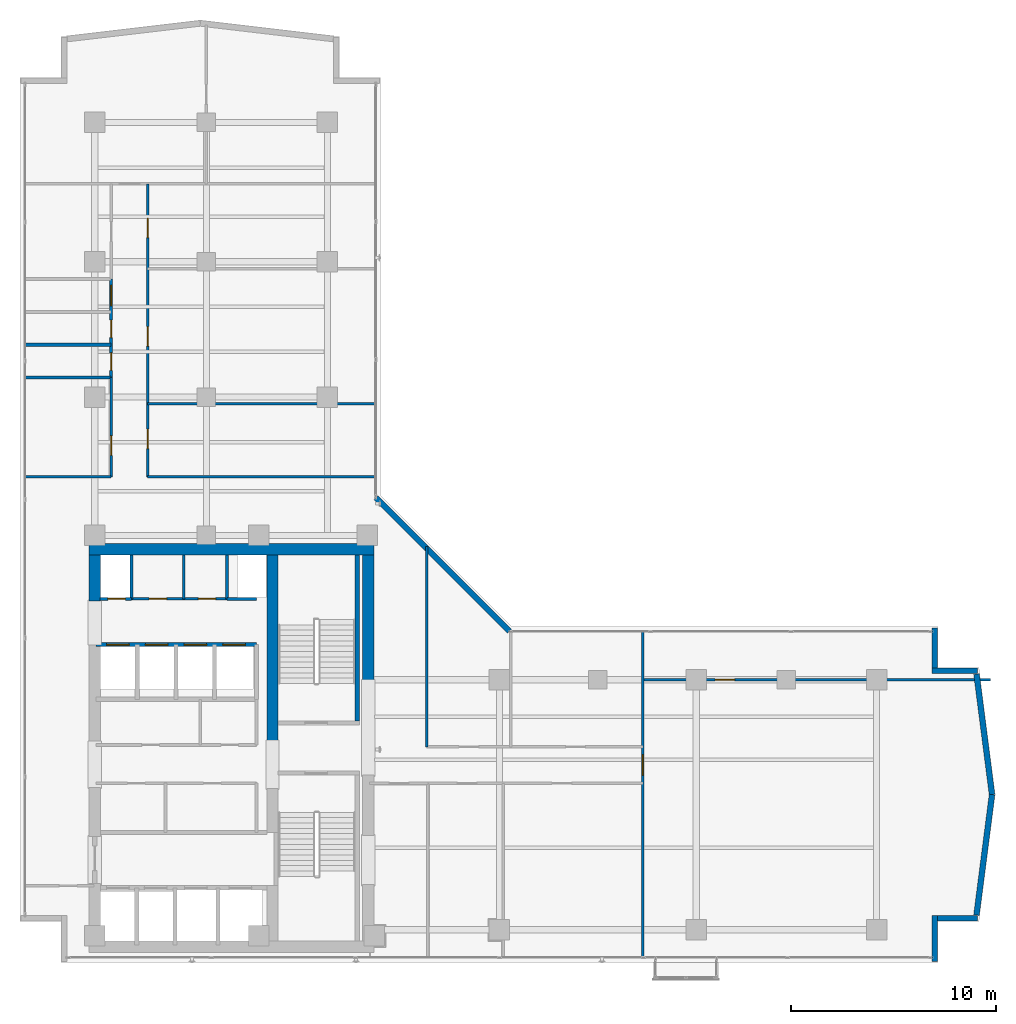
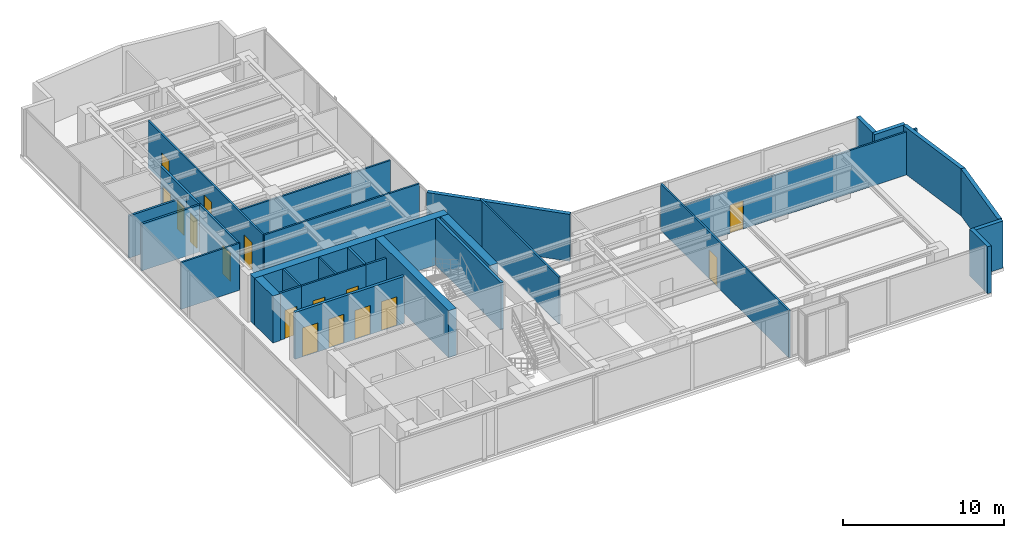
# One storey, part 18 of 24: 30 walls, 16 doors, 16 openings.
"""IFC4 building model written with IfcOpenShell, lengths in metres."""

import ifcopenshell
import ifcopenshell.guid

model = None  # the IFC model being written
_history = None  # IfcOwnerHistory: only IFC2X3 demands one
_inside = {}  # id of a spatial element -> (the spatial element, [elements in it])
_under = {}  # id of a project, library or spatial element -> (it, [spatial elements below it])
_declared = {}  # id of a project -> (the project, [libraries it declares])
_typed = {}  # id of a type object -> (the type object, [elements of that type])
_made_of = {}  # id of a material, layer set ... -> (it, [elements and type objects made of it])


def new_model(schema):
    """Start an empty IFC model of exactly this schema.

    Asked for "IFC4X3", IfcOpenShell would pick the latest addendum, in which some entities
    have other attributes; the version numbers below select the first issue.
    IFC2X3 requires an IfcOwnerHistory on every rooted entity: one is made here for all.
    """
    global model, _history
    if schema == "IFC4X3":
        model = ifcopenshell.file(schema_version=(4, 3, 0, 0))
    else:
        model = ifcopenshell.file(schema=schema)
    _inside.clear()
    _under.clear()
    _declared.clear()
    _typed.clear()
    _made_of.clear()
    _history = None
    if model.schema == "IFC2X3":
        org = make("IfcOrganization", Name="unknown")
        user = make(
            "IfcPersonAndOrganization",
            ThePerson=make("IfcPerson", FamilyName="unknown"),
            TheOrganization=org,
        )
        app = make(
            "IfcApplication",
            ApplicationDeveloper=org,
            Version="unknown",
            ApplicationFullName="unknown",
            ApplicationIdentifier="unknown",
        )
        _history = make(
            "IfcOwnerHistory",
            OwningUser=user,
            OwningApplication=app,
            ChangeAction="ADDED",
            CreationDate=0,
        )
    return model


def make(cls, **values):
    """One entity of the class cls with the attributes given. An attribute that is None is left unset."""
    return model.create_entity(
        cls, **{name: value for name, value in values.items() if value is not None}
    )


def rooted(cls, **values):
    """An entity with a GlobalId (a new one), such as an element, a storey or a relation."""
    return make(cls, GlobalId=ifcopenshell.guid.new(), OwnerHistory=_history, **values)


def si_unit(unit_type, name, prefix=None):
    """IfcSIUnit, for example si_unit("LENGTHUNIT", "METRE", prefix="MILLI")."""
    return make("IfcSIUnit", UnitType=unit_type, Prefix=prefix, Name=name)


def assignment(units):
    """IfcUnitAssignment: the units of a project."""
    return None if units is None else make("IfcUnitAssignment", Units=units)


def point(xyz):
    """IfcCartesianPoint."""
    return None if xyz is None else make("IfcCartesianPoint", Coordinates=xyz)


def direction(xyz):
    """IfcDirection."""
    return None if xyz is None else make("IfcDirection", DirectionRatios=xyz)


def frame(location, z_axis=None, x_axis=None):
    """IfcAxis2Placement3D, a coordinate frame: its origin and axes. An axis left out is left unset."""
    return make(
        "IfcAxis2Placement3D",
        Location=point(location),
        Axis=direction(z_axis),
        RefDirection=direction(x_axis),
    )


def frame_2d(location, x_axis=None):
    """IfcAxis2Placement2D, a coordinate frame in the plane: its origin and x axis."""
    return make(
        "IfcAxis2Placement2D", Location=point(location), RefDirection=direction(x_axis)
    )


def origin():
    """The frame at (0, 0, 0) with its axes left unset."""
    return frame((0.0, 0.0, 0.0))


def place(relative_to, where):
    """IfcLocalPlacement: puts the frame where relative to a parent placement (None: the world)."""
    return make(
        "IfcLocalPlacement", PlacementRelTo=relative_to, RelativePlacement=where
    )


def context(
    kind, dimensions, precision=None, world=None, true_north=None, identifier=None
):
    """IfcGeometricRepresentationContext, for example the 3D "Model" context."""
    return make(
        "IfcGeometricRepresentationContext",
        ContextIdentifier=identifier,
        ContextType=kind,
        CoordinateSpaceDimension=dimensions,
        Precision=precision,
        WorldCoordinateSystem=world,
        TrueNorth=true_north,
    )


def subcontext(parent, identifier, kind, view, scale=None):
    """IfcGeometricRepresentationSubContext, for example "Body" below "Model"."""
    return make(
        "IfcGeometricRepresentationSubContext",
        ContextIdentifier=identifier,
        ContextType=kind,
        ParentContext=parent,
        TargetScale=scale,
        TargetView=view,
    )


def project(units=None, contexts=None):
    """IfcProject with its units and contexts."""
    return rooted(
        "IfcProject",
        Name="project",
        RepresentationContexts=contexts,
        UnitsInContext=assignment(units),
    )


def spatial(cls, under=None, at=None, **own):
    """A site, building, storey or space (cls), placed at a placement, below another one or the project."""
    s = rooted(cls, ObjectPlacement=at, **own)
    if under is not None:
        _under.setdefault(under.id(), (under, []))[1].append(s)
    return s


def profile(cls, at=None, kind="AREA", **sizes):
    """A parametric profile (cls). Its sizes go by their IFC names, for example OverallWidth=200.0."""
    return make(cls, ProfileType=kind, Position=at, **sizes)


def rectangle(**sizes):
    """IfcRectangleProfileDef."""
    return profile("IfcRectangleProfileDef", **sizes)


def extrude(swept, where, along, depth):
    """IfcExtrudedAreaSolid: the profile swept, set in the frame where, extruded along a direction by depth."""
    return make(
        "IfcExtrudedAreaSolid",
        SweptArea=swept,
        Position=where,
        ExtrudedDirection=direction(along),
        Depth=depth,
    )


def shape(context_of_items, identifier, shape_type, items):
    """IfcShapeRepresentation: the items that make up one representation, for example the "Body"."""
    return make(
        "IfcShapeRepresentation",
        ContextOfItems=context_of_items,
        RepresentationIdentifier=identifier,
        RepresentationType=shape_type,
        Items=items,
    )


def material(Name=None, Category=None):
    """IfcMaterial."""
    return make("IfcMaterial", Name=Name, Category=Category)


def layer(
    of_material, thickness, ventilated=None, Name=None, Category=None, Priority=None
):
    """IfcMaterialLayer: one layer of a wall or slab, of a material (None: an air gap)."""
    return make(
        "IfcMaterialLayer",
        Material=of_material,
        LayerThickness=thickness,
        IsVentilated=ventilated,
        Name=Name,
        Category=Category,
        Priority=Priority,
    )


def layer_set(layers, Name=None):
    """IfcMaterialLayerSet."""
    return make("IfcMaterialLayerSet", MaterialLayers=layers, LayerSetName=Name)


def made_of(thing, what):
    """Note that an element or type object is made of a material, layer set ...; save() writes the relation."""
    if what is not None:
        _made_of.setdefault(what.id(), (what, []))[1].append(thing)
    return thing


def type_object(cls, material=None, **own):
    """A type object (cls), such as IfcWallType, which elements share."""
    return made_of(rooted(cls, **own), material)


def element(
    cls,
    number,
    at=None,
    inside=None,
    cuts=None,
    type_object=None,
    material=None,
    context=None,
    identifier="Body",
    shape_type=None,
    held_by="IfcProductDefinitionShape",
    body=None,
    shapes=None,
    **own,
):
    """One element of the class cls, such as IfcWall. Its Tag is "e" and its number.

    at: its placement. inside: the storey or other place that contains it. cuts: it is an
    opening in that element (IfcRelVoidsElement). A single representation is given by context,
    identifier, shape_type and body (its items); several are given by shapes. held_by: the class
    of the entity that holds the representations. save() writes the other relations.
    """
    e = rooted(cls, Tag="e%d" % number, ObjectPlacement=at, **own)
    if body is not None:
        shapes = [shape(context, identifier, shape_type, body)]
    if shapes is not None:
        e.Representation = make(held_by, Representations=shapes)
    if inside is not None:
        _inside.setdefault(inside.id(), (inside, []))[1].append(e)
    if cuts is not None:
        rooted(
            "IfcRelVoidsElement", RelatingBuildingElement=cuts, RelatedOpeningElement=e
        )
    if type_object is not None:
        _typed.setdefault(type_object.id(), (type_object, []))[1].append(e)
    return made_of(e, material)


def fill(opening, filler):
    """IfcRelFillsElement: the door or window that sits in an opening."""
    return rooted(
        "IfcRelFillsElement",
        RelatingOpeningElement=opening,
        RelatedBuildingElement=filler,
    )


def aggregate(whole, parts):
    """IfcRelAggregates: a whole, such as a stair, and the parts it consists of."""
    return rooted("IfcRelAggregates", RelatingObject=whole, RelatedObjects=parts)


def save(model, path):
    """Write the relations noted so far, then the file.

    IfcRelAggregates (storeys below a building ...), IfcRelContainedInSpatialStructure (elements
    in a storey), IfcRelDefinesByType, IfcRelAssociatesMaterial and IfcRelDeclares: one each for
    every whole, place, type object, material and project.
    """
    for whole, parts in _under.values():
        aggregate(whole, parts)
    for where, things in _inside.values():
        rooted(
            "IfcRelContainedInSpatialStructure",
            RelatedElements=things,
            RelatingStructure=where,
        )
    for kind, things in _typed.values():
        rooted("IfcRelDefinesByType", RelatedObjects=things, RelatingType=kind)
    for what, things in _made_of.values():
        rooted("IfcRelAssociatesMaterial", RelatedObjects=things, RelatingMaterial=what)
    for by, libraries in _declared.values():
        rooted("IfcRelDeclares", RelatingContext=by, RelatedDefinitions=libraries)
    model.write(path)


model = new_model("IFC4")

# Units and contexts
model_context = context("Model", 3, precision=1e-05, world=origin(), true_north=direction((0.0, 1.0)))
body_context = subcontext(model_context, "Body", "Model", "MODEL_VIEW")
ifc_project = project(units=[si_unit("LENGTHUNIT", "METRE"), si_unit("AREAUNIT", "SQUARE_METRE"), si_unit("VOLUMEUNIT", "CUBIC_METRE"), si_unit("PLANEANGLEUNIT", "RADIAN"), si_unit("MASSUNIT", "GRAM", prefix="KILO")], contexts=[model_context])

# Site, building, storey
site_placement = place(None, origin())
site = spatial("IfcSite", under=ifc_project, at=site_placement, CompositionType="ELEMENT")
building_placement = place(site_placement, origin())
building = spatial("IfcBuilding", under=site, at=building_placement, Name="Kolvaren Waterfront Exchange", CompositionType="ELEMENT")
storey_placement = place(building_placement, frame((0.0, 0.0, 238.699951171875)))
storey = spatial("IfcBuildingStorey", under=building, at=storey_placement, Name="L61", CompositionType="ELEMENT", Elevation=238.699951171875)

# Walls
ifc_material_1 = material(Name="Precast concrete C40/50", Category="concrete")
ifc_layer_1 = layer(ifc_material_1, 0.280029296875, Name="Precast concrete C40/50")
ifc_layer_set_1 = layer_set([ifc_layer_1], Name="Precast concrete C40/50")
wall_type_1 = type_object("IfcWallType", Name="ARC-EXT-TERR-280", PredefinedType="SOLIDWALL", material=ifc_layer_set_1)
wall_1_placement = place(storey_placement, frame((48.43994140625, 3.659912109375, 0.0), z_axis=(0.0, 0.0, 1.0), x_axis=(0.0, 1.0, 0.0)))
element("IfcWall", 1, at=wall_1_placement, inside=storey, type_object=wall_type_1, Name="L61 notched corner spandrel pier SE-A", PredefinedType="SOLIDWALL", context=body_context, shape_type="SweptSolid", body=[
    extrude(rectangle(XDim=2.239990234375, YDim=0.280029296875, at=frame_2d((1.1201171875, 0.0))), origin(), (0.0, 0.0, 1.0), 3.56005859375),
])
wall_2_placement = place(storey_placement, frame((48.580078125, 5.760009765625, 0.0), z_axis=(0.0, 0.0, 1.0), x_axis=(1.0, 0.0, 0.0)))
element("IfcWall", 2, at=wall_2_placement, inside=storey, type_object=wall_type_1, Name="L61 notched corner spandrel pier SE-B", PredefinedType="SOLIDWALL", context=body_context, shape_type="SweptSolid", body=[
    extrude(rectangle(XDim=1.9599609375, YDim=0.280029296875, at=frame_2d((0.97998046875, 0.0))), origin(), (0.0, 0.0, 1.0), 3.56005859375),
])
wall_3_placement = place(storey_placement, frame((48.43994140625, 17.965087890625, 0.0), z_axis=(0.0, 0.0, 1.0), x_axis=(0.0, 1.0, 0.0)))
element("IfcWall", 3, at=wall_3_placement, inside=storey, type_object=wall_type_1, Name="L61 notched corner spandrel pier ENE-A", PredefinedType="SOLIDWALL", context=body_context, shape_type="SweptSolid", body=[
    extrude(rectangle(XDim=1.974853515625, YDim=0.280029296875, at=frame_2d((0.9873046875, 0.0))), origin(), (0.0, 0.0, 1.0), 3.56005859375),
])
wall_4_placement = place(storey_placement, frame((48.300048828125, 17.840087890625, 0.0), z_axis=(0.0, 0.0, 1.0), x_axis=(1.0, 0.0, 0.0)))
element("IfcWall", 4, at=wall_4_placement, inside=storey, type_object=wall_type_1, Name="L61 notched corner spandrel pier ENE-B", PredefinedType="SOLIDWALL", context=body_context, shape_type="SweptSolid", body=[
    extrude(rectangle(XDim=2.239990234375, YDim=0.280029296875, at=frame_2d((1.1201171875, 0.0))), origin(), (0.0, 0.0, 1.0), 3.56005859375),
])
wall_5_placement = place(storey_placement, frame((27.68505859375, 19.77490234375, 0.0), z_axis=(0.0, 0.0, 1.0), x_axis=(-0.707106781187, 0.707106781187, 0.0)))
element("IfcWall", 5, at=wall_5_placement, inside=storey, type_object=wall_type_1, Name="L61 notched corner spandrel pier ELBOW", PredefinedType="SOLIDWALL", context=body_context, shape_type="SweptSolid", body=[
    extrude(rectangle(XDim=9.20654296875, YDim=0.280029296875, at=frame_2d((4.603271484375, 0.0))), origin(), (0.0, 0.0, 1.0), 3.56005859375),
])
for number, where, z_axis, x_axis, name in (
    (6, (50.479736328125, 5.91796875, 0.0), (0.0, 0.0, 1.0), (0.127970031595, 0.991778035154, 0.0), "L61 east prow faceted facade wall 1"),
    (7, (51.23876953125, 11.79931640625, 0.0), (0.0, 0.0, 1.0), (-0.127970031595, 0.991778035154, 0.0), "L61 east prow faceted facade wall 2"),
):
    element("IfcWall", number, at=place(storey_placement, frame(where, z_axis=z_axis, x_axis=x_axis)), inside=storey, type_object=wall_type_1, Name=name, PredefinedType="SOLIDWALL", context=body_context, shape_type="SweptSolid", body=[
        extrude(rectangle(XDim=5.931396484375, YDim=0.280029296875, at=frame_2d((2.9658203125, 0.0))), origin(), (0.0, 0.0, 1.0), 3.56005859375),
    ])

# Wall, openings, doors
ifc_material_2 = material(Name="Acoustic gypsum steel stud", Category="steel")
ifc_layer_2 = layer(ifc_material_2, 0.125, Name="Acoustic gypsum steel stud")
ifc_layer_set_2 = layer_set([ifc_layer_2], Name="Acoustic gypsum steel stud")
wall_type_2 = type_object("IfcWallType", Name="ARC-PART-125", PredefinedType="PARTITIONING", material=ifc_layer_set_2)
wall_6_placement = place(storey_placement, frame((9.25, 21.35009765625, 0.0), z_axis=(0.0, 0.0, 1.0), x_axis=(1.0, 0.0, 0.0)))
wall_6 = element("IfcWall", 8, at=wall_6_placement, inside=storey, type_object=wall_type_2, Name="L61 interior wall PW-L61-SVC-HI-S", PredefinedType="PARTITIONING", context=body_context, shape_type="SweptSolid", body=[
    extrude(rectangle(XDim=4.64990234375, YDim=0.125, at=frame_2d((2.324951171875, 0.0))), origin(), (0.0, 0.0, 1.0), 3.56005859375),
])
opening_1_placement = place(wall_6_placement, frame((0.85009765625, 0.0, 0.0)))
opening_1 = element("IfcOpeningElement", 9, at=opening_1_placement, cuts=wall_6, Name="Opening D01", PredefinedType="OPENING", context=body_context, shape_type="SweptSolid", body=[
    extrude(rectangle(XDim=0.85009765625, YDim=2.14990234375, at=frame_2d((0.425048828125, 1.074951171875))), frame((0.0, 0.072509765625, 0.0), z_axis=(0.0, -1.0, 0.0), x_axis=(1.0, 0.0, 0.0)), (0.0, 0.0, 1.0), 0.14501953125),
])
opening_2_placement = place(wall_6_placement, frame((3.25, 0.0, 0.0)))
opening_2 = element("IfcOpeningElement", 10, at=opening_2_placement, cuts=wall_6, Name="Opening D01", PredefinedType="OPENING", context=body_context, shape_type="SweptSolid", body=[
    extrude(rectangle(XDim=0.85009765625, YDim=2.14990234375, at=frame_2d((0.425048828125, 1.074951171875))), frame((0.0, 0.072509765625, 0.0), z_axis=(0.0, -1.0, 0.0), x_axis=(1.0, 0.0, 0.0)), (0.0, 0.0, 1.0), 0.14501953125),
])
ifc_material_3 = material(Name="Oak veneer timber leaf", Category="wood")
door_type_1 = type_object("IfcDoorType", Name="ARC-DR-900", OperationType="NOTDEFINED", PredefinedType="DOOR", material=ifc_material_3)
door_1_placement = place(opening_1_placement, origin())
door_1 = element("IfcDoor", 11, at=door_1_placement, inside=storey, type_object=door_type_1, Name="L61 door DR-L61-SVC-DR-1 (D01)", OperationType="SINGLE_SWING_LEFT", OverallHeight=2.14990234375, OverallWidth=0.85009765625, PredefinedType="DOOR", context=body_context, shape_type="SweptSolid", body=[
    extrude(rectangle(XDim=0.85009765625, YDim=2.14990234375, at=frame_2d((0.425048828125, 1.074951171875))), frame((0.0, 0.02490234375, 0.0), z_axis=(0.0, -1.0, 0.0), x_axis=(1.0, 0.0, 0.0)), (0.0, 0.0, 1.0), 0.050048828125),
])
fill(opening_1, door_1)
door_2_placement = place(opening_2_placement, origin())
door_2 = element("IfcDoor", 12, at=door_2_placement, inside=storey, type_object=door_type_1, Name="L61 door DR-L61-SVC-DR-2 (D01)", OperationType="SINGLE_SWING_RIGHT", OverallHeight=2.14990234375, OverallWidth=0.85009765625, PredefinedType="DOOR", context=body_context, shape_type="SweptSolid", body=[
    extrude(rectangle(XDim=0.85009765625, YDim=2.14990234375, at=frame_2d((0.425048828125, 1.074951171875))), frame((0.0, 0.02490234375, 0.0), z_axis=(0.0, -1.0, 0.0), x_axis=(1.0, 0.0, 0.0)), (0.0, 0.0, 1.0), 0.050048828125),
])
fill(opening_2, door_2)

# Wall
wall_7_placement = place(storey_placement, frame((11.800048828125, 21.35009765625, 0.0), z_axis=(0.0, 0.0, 1.0), x_axis=(0.0, 1.0, 0.0)))
element("IfcWall", 13, at=wall_7_placement, inside=storey, type_object=wall_type_2, Name="L61 interior wall PW-L61-SVC-HI-M", PredefinedType="PARTITIONING", context=body_context, shape_type="SweptSolid", body=[
    extrude(rectangle(XDim=2.1298828125, YDim=0.125, at=frame_2d((1.06494140625, 0.0))), origin(), (0.0, 0.0, 1.0), 3.56005859375),
])

# Wall, opening, door
wall_8_placement = place(storey_placement, frame((8.25, 27.300048828125, 0.0), z_axis=(0.0, 0.0, 1.0), x_axis=(0.0, 1.0, 0.0)))
wall_8 = element("IfcWall", 14, at=wall_8_placement, inside=storey, type_object=wall_type_2, Name="L61 interior wall PW-L61-PREWC-E", PredefinedType="PARTITIONING", context=body_context, shape_type="SweptSolid", body=[
    extrude(rectangle(XDim=4.849853515625, YDim=0.125, at=frame_2d((2.4248046875, 0.0))), origin(), (0.0, 0.0, 1.0), 3.56005859375),
])
opening_3_placement = place(wall_8_placement, frame((1.050048828125, 0.0, 0.0)))
opening_3 = element("IfcOpeningElement", 15, at=opening_3_placement, cuts=wall_8, Name="Opening D02", PredefinedType="OPENING", context=body_context, shape_type="SweptSolid", body=[
    extrude(rectangle(XDim=0.949951171875, YDim=2.14990234375, at=frame_2d((0.47509765625, 1.074951171875))), frame((0.0, 0.072509765625, 0.0), z_axis=(0.0, -1.0, 0.0), x_axis=(1.0, 0.0, 0.0)), (0.0, 0.0, 1.0), 0.14501953125),
])
ifc_material_4 = material(Name="Oak veneer acoustic timber", Category="wood")
door_type_2 = type_object("IfcDoorType", Name="ARC-DR-950", OperationType="NOTDEFINED", PredefinedType="DOOR", material=ifc_material_4)
door_3_placement = place(opening_3_placement, origin())
door_3 = element("IfcDoor", 16, at=door_3_placement, inside=storey, type_object=door_type_2, Name="L61 door DR-L61-PREWC-D (D02)", OperationType="SINGLE_SWING_LEFT", OverallHeight=2.14990234375, OverallWidth=0.949951171875, PredefinedType="DOOR", context=body_context, shape_type="SweptSolid", body=[
    extrude(rectangle(XDim=0.949951171875, YDim=2.14990234375, at=frame_2d((0.47509765625, 1.074951171875))), frame((0.0, 0.02490234375, 0.0), z_axis=(0.0, -1.0, 0.0), x_axis=(1.0, 0.0, 0.0)), (0.0, 0.0, 1.0), 0.050048828125),
])
fill(opening_3, door_3)

# Wall
wall_9_placement = place(storey_placement, frame((4.0400390625, 27.300048828125, 0.0), z_axis=(0.0, 0.0, 1.0), x_axis=(1.0, 0.0, 0.0)))
element("IfcWall", 17, at=wall_9_placement, inside=storey, type_object=wall_type_2, Name="L61 interior wall PW-L61-PREWC-S", PredefinedType="PARTITIONING", context=body_context, shape_type="SweptSolid", body=[
    extrude(rectangle(XDim=4.2099609375, YDim=0.125, at=frame_2d((2.10498046875, 0.0))), origin(), (0.0, 0.0, 1.0), 3.56005859375),
])

# Wall, opening, door
wall_10_placement = place(storey_placement, frame((34.199951171875, 3.840087890625, 0.0), z_axis=(0.0, 0.0, 1.0), x_axis=(0.0, 1.0, 0.0)))
wall_10 = element("IfcWall", 18, at=wall_10_placement, inside=storey, type_object=wall_type_2, Name="L61 interior wall PW-L61-ETIP-W", PredefinedType="PARTITIONING", context=body_context, shape_type="SweptSolid", body=[
    extrude(rectangle(XDim=15.919921875, YDim=0.125, at=frame_2d((7.9599609375, 0.0))), origin(), (0.0, 0.0, 1.0), 3.56005859375),
])
opening_4_placement = place(wall_10_placement, frame((8.89990234375, 0.0, 0.0)))
opening_4 = element("IfcOpeningElement", 19, at=opening_4_placement, cuts=wall_10, Name="Opening D03", PredefinedType="OPENING", context=body_context, shape_type="SweptSolid", body=[
    extrude(rectangle(XDim=1.0, YDim=2.199951171875, at=frame_2d((0.5, 1.10009765625))), frame((0.0, 0.072509765625, 0.0), z_axis=(0.0, -1.0, 0.0), x_axis=(1.0, 0.0, 0.0)), (0.0, 0.0, 1.0), 0.14501953125),
])
ifc_material_5 = material(Name="Oak veneer accessible timber", Category="wood")
door_type_3 = type_object("IfcDoorType", Name="ARC-DR-1000", OperationType="NOTDEFINED", PredefinedType="DOOR", material=ifc_material_5)
door_4_placement = place(opening_4_placement, origin())
door_4 = element("IfcDoor", 20, at=door_4_placement, inside=storey, type_object=door_type_3, Name="L61 door DR-L61-ETIP1-D (D03)", OperationType="SINGLE_SWING_LEFT", OverallHeight=2.199951171875, OverallWidth=1.0, PredefinedType="DOOR", context=body_context, shape_type="SweptSolid", body=[
    extrude(rectangle(XDim=1.0, YDim=2.199951171875, at=frame_2d((0.5, 1.10009765625))), frame((0.0, 0.02490234375, 0.0), z_axis=(0.0, -1.0, 0.0), x_axis=(1.0, 0.0, 0.0)), (0.0, 0.0, 1.0), 0.050048828125),
])
fill(opening_4, door_4)

wall_11_placement = place(storey_placement, frame((34.199951171875, 17.39990234375, 0.0), z_axis=(0.0, 0.0, 1.0), x_axis=(1.0, 0.0, 0.0)))
wall_11 = element("IfcWall", 21, at=wall_11_placement, inside=storey, type_object=wall_type_2, Name="L61 interior wall PW-L61-ETIP-MID", PredefinedType="PARTITIONING", context=body_context, shape_type="SweptSolid", body=[
    extrude(rectangle(XDim=16.9599609375, YDim=0.125, at=frame_2d((8.47998046875, 0.0))), origin(), (0.0, 0.0, 1.0), 3.260009765625),
])
opening_5_placement = place(wall_11_placement, frame((3.52490234375, 0.0, 0.0)))
opening_5 = element("IfcOpeningElement", 22, at=opening_5_placement, cuts=wall_11, Name="Opening D02", PredefinedType="OPENING", context=body_context, shape_type="SweptSolid", body=[
    extrude(rectangle(XDim=0.949951171875, YDim=2.14990234375, at=frame_2d((0.47509765625, 1.074951171875))), frame((0.0, 0.072509765625, 0.0), z_axis=(0.0, -1.0, 0.0), x_axis=(1.0, 0.0, 0.0)), (0.0, 0.0, 1.0), 0.14501953125),
])
door_5_placement = place(opening_5_placement, origin())
door_5 = element("IfcDoor", 23, at=door_5_placement, inside=storey, type_object=door_type_2, Name="L61 door DR-L61-ETIP2-D (D02)", OperationType="SINGLE_SWING_RIGHT", OverallHeight=2.14990234375, OverallWidth=0.949951171875, PredefinedType="DOOR", context=body_context, shape_type="SweptSolid", body=[
    extrude(rectangle(XDim=0.949951171875, YDim=2.14990234375, at=frame_2d((0.47509765625, 1.074951171875))), frame((0.0, 0.02490234375, 0.0), z_axis=(0.0, -1.0, 0.0), x_axis=(1.0, 0.0, 0.0)), (0.0, 0.0, 1.0), 0.050048828125),
])
fill(opening_5, door_5)

# Walls
wall_12_placement = place(storey_placement, frame((23.64990234375, 14.1298828125, 0.0), z_axis=(0.0, 0.0, 1.0), x_axis=(0.0, 1.0, 0.0)))
element("IfcWall", 24, at=wall_12_placement, inside=storey, type_object=wall_type_2, Name="L61 interior wall PW-L61-EN-W0", PredefinedType="PARTITIONING", context=body_context, shape_type="SweptSolid", body=[
    extrude(rectangle(XDim=9.780029296875, YDim=0.125, at=frame_2d((4.89013671875, 0.0))), origin(), (0.0, 0.0, 1.0), 3.56005859375),
])
wall_13_placement = place(storey_placement, frame((10.030029296875, 27.300048828125, 0.0), z_axis=(0.0, 0.0, 1.0), x_axis=(1.0, 0.0, 0.0)))
element("IfcWall", 25, at=wall_13_placement, inside=storey, type_object=wall_type_2, Name="L61 interior wall PW-L61-NE-S0", PredefinedType="PARTITIONING", context=body_context, shape_type="SweptSolid", body=[
    extrude(rectangle(XDim=11.1298828125, YDim=0.125, at=frame_2d((5.56494140625, 0.0))), origin(), (0.0, 0.0, 1.0), 3.56005859375),
])

# Wall, openings, doors
wall_14_placement = place(storey_placement, frame((10.030029296875, 27.300048828125, 0.0), z_axis=(0.0, 0.0, 1.0), x_axis=(0.0, 1.0, 0.0)))
wall_14 = element("IfcWall", 26, at=wall_14_placement, inside=storey, type_object=wall_type_2, Name="L61 interior wall PW-L61-NE-CORR", PredefinedType="PARTITIONING", context=body_context, shape_type="SweptSolid", body=[
    extrude(rectangle(XDim=14.300048828125, YDim=0.125, at=frame_2d((7.14990234375, 0.0))), origin(), (0.0, 0.0, 1.0), 3.56005859375),
])
opening_6_placement = place(wall_14_placement, frame((1.385498046875, 0.0, 0.0)))
opening_6 = element("IfcOpeningElement", 27, at=opening_6_placement, cuts=wall_14, Name="Opening D02", PredefinedType="OPENING", context=body_context, shape_type="SweptSolid", body=[
    extrude(rectangle(XDim=0.949951171875, YDim=2.14990234375, at=frame_2d((0.47509765625, 1.074951171875))), frame((0.0, 0.072509765625, 0.0), z_axis=(0.0, -1.0, 0.0), x_axis=(1.0, 0.0, 0.0)), (0.0, 0.0, 1.0), 0.14501953125),
])
opening_7_placement = place(wall_14_placement, frame((6.389892578125, 0.0, 0.0)))
opening_7 = element("IfcOpeningElement", 28, at=opening_7_placement, cuts=wall_14, Name="Opening D02", PredefinedType="OPENING", context=body_context, shape_type="SweptSolid", body=[
    extrude(rectangle(XDim=0.949951171875, YDim=2.14990234375, at=frame_2d((0.47509765625, 1.074951171875))), frame((0.0, 0.072509765625, 0.0), z_axis=(0.0, -1.0, 0.0), x_axis=(1.0, 0.0, 0.0)), (0.0, 0.0, 1.0), 0.14501953125),
])
opening_8_placement = place(wall_14_placement, frame((11.679443359375, 0.0, 0.0)))
opening_8 = element("IfcOpeningElement", 29, at=opening_8_placement, cuts=wall_14, Name="Opening D02", PredefinedType="OPENING", context=body_context, shape_type="SweptSolid", body=[
    extrude(rectangle(XDim=0.949951171875, YDim=2.14990234375, at=frame_2d((0.47509765625, 1.074951171875))), frame((0.0, 0.072509765625, 0.0), z_axis=(0.0, -1.0, 0.0), x_axis=(1.0, 0.0, 0.0)), (0.0, 0.0, 1.0), 0.14501953125),
])
door_6_placement = place(opening_6_placement, origin())
door_6 = element("IfcDoor", 30, at=door_6_placement, inside=storey, type_object=door_type_2, Name="L61 door DR-L61-NE-D-1 (D02)", OperationType="SINGLE_SWING_RIGHT", OverallHeight=2.14990234375, OverallWidth=0.949951171875, PredefinedType="DOOR", context=body_context, shape_type="SweptSolid", body=[
    extrude(rectangle(XDim=0.949951171875, YDim=2.14990234375, at=frame_2d((0.47509765625, 1.074951171875))), frame((0.0, 0.02490234375, 0.0), z_axis=(0.0, -1.0, 0.0), x_axis=(1.0, 0.0, 0.0)), (0.0, 0.0, 1.0), 0.050048828125),
])
fill(opening_6, door_6)
door_7_placement = place(opening_7_placement, origin())
door_7 = element("IfcDoor", 31, at=door_7_placement, inside=storey, type_object=door_type_2, Name="L61 door DR-L61-NE-D-2 (D02)", OperationType="SINGLE_SWING_LEFT", OverallHeight=2.14990234375, OverallWidth=0.949951171875, PredefinedType="DOOR", context=body_context, shape_type="SweptSolid", body=[
    extrude(rectangle(XDim=0.949951171875, YDim=2.14990234375, at=frame_2d((0.47509765625, 1.074951171875))), frame((0.0, 0.02490234375, 0.0), z_axis=(0.0, -1.0, 0.0), x_axis=(1.0, 0.0, 0.0)), (0.0, 0.0, 1.0), 0.050048828125),
])
fill(opening_7, door_7)
door_8_placement = place(opening_8_placement, origin())
door_8 = element("IfcDoor", 32, at=door_8_placement, inside=storey, type_object=door_type_2, Name="L61 door DR-L61-NE-D-3 (D02)", OperationType="SINGLE_SWING_RIGHT", OverallHeight=2.14990234375, OverallWidth=0.949951171875, PredefinedType="DOOR", context=body_context, shape_type="SweptSolid", body=[
    extrude(rectangle(XDim=0.949951171875, YDim=2.14990234375, at=frame_2d((0.47509765625, 1.074951171875))), frame((0.0, 0.02490234375, 0.0), z_axis=(0.0, -1.0, 0.0), x_axis=(1.0, 0.0, 0.0)), (0.0, 0.0, 1.0), 0.050048828125),
])
fill(opening_8, door_8)

# Walls
wall_15_placement = place(storey_placement, frame((10.030029296875, 30.8798828125, 0.0), z_axis=(0.0, 0.0, 1.0), x_axis=(1.0, 0.0, 0.0)))
element("IfcWall", 33, at=wall_15_placement, inside=storey, type_object=wall_type_2, Name="L61 interior wall PW-L61-NE-DIV-1", PredefinedType="PARTITIONING", context=body_context, shape_type="SweptSolid", body=[
    extrude(rectangle(XDim=11.1298828125, YDim=0.125, at=frame_2d((5.56494140625, 0.0))), origin(), (0.0, 0.0, 1.0), 3.16015625),
])
ifc_material_6 = material(Name="Gypsum fireboard steel stud", Category="steel")
ifc_layer_3 = layer(ifc_material_6, 0.14990234375, Name="Gypsum fireboard steel stud")
ifc_layer_set_3 = layer_set([ifc_layer_3], Name="Gypsum fireboard steel stud")
wall_type_3 = type_object("IfcWallType", Name="ARC-PART-150", PredefinedType="PARTITIONING", material=ifc_layer_set_3)
for number, where, z_axis, x_axis, name in (
    (34, (9.25, 21.35009765625, 0.0), (0.0, 0.0, 1.0), (0.0, 1.0, 0.0), "L61 interior wall PW-L61-SVC-R1"),
    (35, (13.89990234375, 21.35009765625, 0.0), (0.0, 0.0, 1.0), (0.0, 1.0, 0.0), "L61 interior wall PW-L61-SVC-R2"),
):
    element("IfcWall", number, at=place(storey_placement, frame(where, z_axis=z_axis, x_axis=x_axis)), inside=storey, type_object=wall_type_3, Name=name, PredefinedType="PARTITIONING", context=body_context, shape_type="SweptSolid", body=[
        extrude(rectangle(XDim=2.1298828125, YDim=0.14990234375, at=frame_2d((1.06494140625, 0.0))), origin(), (0.0, 0.0, 1.0), 3.56005859375),
    ])

# Wall, opening, door
wall_16_placement = place(storey_placement, frame((7.699951171875, 21.35009765625, 0.0), z_axis=(0.0, 0.0, 1.0), x_axis=(1.0, 0.0, 0.0)))
wall_16 = element("IfcWall", 36, at=wall_16_placement, inside=storey, type_object=wall_type_3, Name="L61 interior wall PW-L61-SVC-RE-S", PredefinedType="PARTITIONING", context=body_context, shape_type="SweptSolid", body=[
    extrude(rectangle(XDim=1.550048828125, YDim=0.14990234375, at=frame_2d((0.77490234375, 0.0))), origin(), (0.0, 0.0, 1.0), 3.56005859375),
])
opening_9_placement = place(wall_16_placement, frame((0.389892578125, 0.0, 0.0)))
opening_9 = element("IfcOpeningElement", 37, at=opening_9_placement, cuts=wall_16, Name="Opening FD1", PredefinedType="OPENING", context=body_context, shape_type="SweptSolid", body=[
    extrude(rectangle(XDim=0.85009765625, YDim=2.14990234375, at=frame_2d((0.425048828125, 1.074951171875))), frame((0.0, 0.0849609375, 0.0), z_axis=(0.0, -1.0, 0.0), x_axis=(1.0, 0.0, 0.0)), (0.0, 0.0, 1.0), 0.169921875),
])
ifc_material_7 = material(Name="Pressed steel fire leaf", Category="steel")
door_type_4 = type_object("IfcDoorType", Name="ARC-FD-900", OperationType="NOTDEFINED", PredefinedType="DOOR", material=ifc_material_7)
door_9_placement = place(opening_9_placement, origin())
door_9 = element("IfcDoor", 38, at=door_9_placement, inside=storey, type_object=door_type_4, Name="L61 door DR-L61-RISER-E-DR (FD1)", OperationType="SINGLE_SWING_RIGHT", OverallHeight=2.14990234375, OverallWidth=0.85009765625, PredefinedType="DOOR", context=body_context, shape_type="SweptSolid", body=[
    extrude(rectangle(XDim=0.85009765625, YDim=2.14990234375, at=frame_2d((0.425048828125, 1.074951171875))), frame((0.0, 0.02490234375, 0.0), z_axis=(0.0, -1.0, 0.0), x_axis=(1.0, 0.0, 0.0)), (0.0, 0.0, 1.0), 0.050048828125),
])
fill(opening_9, door_9)

# Walls
wall_17_placement = place(storey_placement, frame((13.89990234375, 21.35009765625, 0.0), z_axis=(0.0, 0.0, 1.0), x_axis=(1.0, 0.0, 0.0)))
element("IfcWall", 39, at=wall_17_placement, inside=storey, type_object=wall_type_3, Name="L61 interior wall PW-L61-SVC-RP-S", PredefinedType="PARTITIONING", context=body_context, shape_type="SweptSolid", body=[
    extrude(rectangle(XDim=1.4501953125, YDim=0.14990234375, at=frame_2d((0.72509765625, 0.0))), origin(), (0.0, 0.0, 1.0), 3.56005859375),
])
ifc_material_8 = material(Name="Moisture-resistant gypsum stud")
ifc_layer_4 = layer(ifc_material_8, 0.14990234375, Name="Moisture-resistant gypsum stud")
ifc_layer_set_4 = layer_set([ifc_layer_4], Name="Moisture-resistant gypsum stud")
wall_type_4 = type_object("IfcWallType", Name="ARC-PLUMB-150", PredefinedType="PLUMBINGWALL", material=ifc_layer_set_4)
wall_18_placement = place(storey_placement, frame((4.0400390625, 32.14990234375, 0.0), z_axis=(0.0, 0.0, 1.0), x_axis=(1.0, 0.0, 0.0)))
element("IfcWall", 40, at=wall_18_placement, inside=storey, type_object=wall_type_4, Name="L61 interior wall PW-L61-WC-0", PredefinedType="PLUMBINGWALL", context=body_context, shape_type="SweptSolid", body=[
    extrude(rectangle(XDim=4.2099609375, YDim=0.14990234375, at=frame_2d((2.10498046875, 0.0))), origin(), (0.0, 0.0, 1.0), 3.56005859375),
])

# Wall, openings, doors
wall_19_placement = place(storey_placement, frame((8.25, 32.14990234375, 0.0), z_axis=(0.0, 0.0, 1.0), x_axis=(0.0, 1.0, 0.0)))
wall_19 = element("IfcWall", 41, at=wall_19_placement, inside=storey, type_object=wall_type_4, Name="L61 interior wall PW-L61-WC-E", PredefinedType="PLUMBINGWALL", context=body_context, shape_type="SweptSolid", body=[
    extrude(rectangle(XDim=4.800048828125, YDim=0.14990234375, at=frame_2d((2.39990234375, 0.0))), origin(), (0.0, 0.0, 1.0), 3.56005859375),
])
opening_10_placement = place(wall_19_placement, frame((0.35009765625, 0.0, 0.0)))
opening_10 = element("IfcOpeningElement", 42, at=opening_10_placement, cuts=wall_19, Name="Opening D01", PredefinedType="OPENING", context=body_context, shape_type="SweptSolid", body=[
    extrude(rectangle(XDim=0.85009765625, YDim=2.14990234375, at=frame_2d((0.425048828125, 1.074951171875))), frame((0.0, 0.0849609375, 0.0), z_axis=(0.0, -1.0, 0.0), x_axis=(1.0, 0.0, 0.0)), (0.0, 0.0, 1.0), 0.169921875),
])
opening_11_placement = place(wall_19_placement, frame((1.949951171875, 0.0, 0.0)))
opening_11 = element("IfcOpeningElement", 43, at=opening_11_placement, cuts=wall_19, Name="Opening D01", PredefinedType="OPENING", context=body_context, shape_type="SweptSolid", body=[
    extrude(rectangle(XDim=0.85009765625, YDim=2.14990234375, at=frame_2d((0.425048828125, 1.074951171875))), frame((0.0, 0.0849609375, 0.0), z_axis=(0.0, -1.0, 0.0), x_axis=(1.0, 0.0, 0.0)), (0.0, 0.0, 1.0), 0.169921875),
])
opening_12_placement = place(wall_19_placement, frame((3.5, 0.0, 0.0)))
opening_12 = element("IfcOpeningElement", 44, at=opening_12_placement, cuts=wall_19, Name="Opening D03", PredefinedType="OPENING", context=body_context, shape_type="SweptSolid", body=[
    extrude(rectangle(XDim=1.0, YDim=2.199951171875, at=frame_2d((0.5, 1.10009765625))), frame((0.0, 0.0849609375, 0.0), z_axis=(0.0, -1.0, 0.0), x_axis=(1.0, 0.0, 0.0)), (0.0, 0.0, 1.0), 0.169921875),
])
door_10_placement = place(opening_12_placement, origin())
door_10 = element("IfcDoor", 45, at=door_10_placement, inside=storey, type_object=door_type_3, Name="L61 door DR-L61-WCA-D (D03)", OperationType="SINGLE_SWING_RIGHT", OverallHeight=2.199951171875, OverallWidth=1.0, PredefinedType="DOOR", context=body_context, shape_type="SweptSolid", body=[
    extrude(rectangle(XDim=1.0, YDim=2.199951171875, at=frame_2d((0.5, 1.10009765625))), frame((0.0, 0.02490234375, 0.0), z_axis=(0.0, -1.0, 0.0), x_axis=(1.0, 0.0, 0.0)), (0.0, 0.0, 1.0), 0.050048828125),
])
fill(opening_12, door_10)
door_11_placement = place(opening_10_placement, origin())
door_11 = element("IfcDoor", 46, at=door_11_placement, inside=storey, type_object=door_type_1, Name="L61 door DR-L61-WCM-D (D01)", OperationType="SINGLE_SWING_RIGHT", OverallHeight=2.14990234375, OverallWidth=0.85009765625, PredefinedType="DOOR", context=body_context, shape_type="SweptSolid", body=[
    extrude(rectangle(XDim=0.85009765625, YDim=2.14990234375, at=frame_2d((0.425048828125, 1.074951171875))), frame((0.0, 0.02490234375, 0.0), z_axis=(0.0, -1.0, 0.0), x_axis=(1.0, 0.0, 0.0)), (0.0, 0.0, 1.0), 0.050048828125),
])
fill(opening_10, door_11)
door_12_placement = place(opening_11_placement, origin())
door_12 = element("IfcDoor", 47, at=door_12_placement, inside=storey, type_object=door_type_1, Name="L61 door DR-L61-WCF-D (D01)", OperationType="SINGLE_SWING_LEFT", OverallHeight=2.14990234375, OverallWidth=0.85009765625, PredefinedType="DOOR", context=body_context, shape_type="SweptSolid", body=[
    extrude(rectangle(XDim=0.85009765625, YDim=2.14990234375, at=frame_2d((0.425048828125, 1.074951171875))), frame((0.0, 0.02490234375, 0.0), z_axis=(0.0, -1.0, 0.0), x_axis=(1.0, 0.0, 0.0)), (0.0, 0.0, 1.0), 0.050048828125),
])
fill(opening_11, door_12)

# Walls
wall_20_placement = place(storey_placement, frame((4.0400390625, 33.75, 0.0), z_axis=(0.0, 0.0, 1.0), x_axis=(1.0, 0.0, 0.0)))
element("IfcWall", 48, at=wall_20_placement, inside=storey, type_object=wall_type_4, Name="L61 interior wall PW-L61-WC-1", PredefinedType="PLUMBINGWALL", context=body_context, shape_type="SweptSolid", body=[
    extrude(rectangle(XDim=4.2099609375, YDim=0.14990234375, at=frame_2d((2.10498046875, 0.0))), origin(), (0.0, 0.0, 1.0), 3.199951171875),
])
ifc_material_9 = material(Name="Concrete C40/50", Category="concrete")
ifc_layer_5 = layer(ifc_material_9, 0.199951171875, Name="Concrete C40/50")
ifc_layer_set_5 = layer_set([ifc_layer_5], Name="Concrete C40/50")
wall_type_5 = type_object("IfcWallType", Name="ARC-SHAFT-200", PredefinedType="PARTITIONING", material=ifc_layer_set_5)
wall_21_placement = place(storey_placement, frame((20.260009765625, 15.39990234375, 0.0), z_axis=(0.0, 0.0, 1.0), x_axis=(0.0, 1.0, 0.0)))
element("IfcWall", 49, at=wall_21_placement, inside=storey, type_object=wall_type_5, Name="L61 structural stairwell wall PW-L61-ST2-E", PredefinedType="SHEAR", context=body_context, shape_type="SweptSolid", body=[
    extrude(rectangle(XDim=8.090087890625, YDim=0.199951171875, at=frame_2d((4.044921875, 0.0))), origin(), (0.0, 0.0, 1.0), 3.56005859375),
])

# Wall, openings, doors
wall_22_placement = place(storey_placement, frame((7.5, 19.1201171875, 0.0), z_axis=(0.0, 0.0, 1.0), x_axis=(1.0, 0.0, 0.0)))
wall_22 = element("IfcWall", 50, at=wall_22_placement, inside=storey, type_object=wall_type_5, Name="L61 interior wall PW-L61-PH-N", PredefinedType="PARTITIONING", context=body_context, shape_type="SweptSolid", body=[
    extrude(rectangle(XDim=7.85009765625, YDim=0.199951171875, at=frame_2d((3.925048828125, 0.0))), origin(), (0.0, 0.0, 1.0), 3.56005859375),
])
opening_13_placement = place(wall_22_placement, frame((0.530029296875, 0.0, 0.0)))
opening_13 = element("IfcOpeningElement", 51, at=opening_13_placement, cuts=wall_22, Name="Opening LD2", PredefinedType="OPENING", context=body_context, shape_type="SweptSolid", body=[
    extrude(rectangle(XDim=1.10009765625, YDim=2.199951171875, at=frame_2d((0.550048828125, 1.10009765625))), frame((0.0, 0.10986328125, 0.0), z_axis=(0.0, -1.0, 0.0), x_axis=(1.0, 0.0, 0.0)), (0.0, 0.0, 1.0), 0.219970703125),
])
opening_14_placement = place(wall_22_placement, frame((2.419921875, 0.0, 0.0)))
opening_14 = element("IfcOpeningElement", 52, at=opening_14_placement, cuts=wall_22, Name="Opening LD2", PredefinedType="OPENING", context=body_context, shape_type="SweptSolid", body=[
    extrude(rectangle(XDim=1.10009765625, YDim=2.199951171875, at=frame_2d((0.550048828125, 1.10009765625))), frame((0.0, 0.10986328125, 0.0), z_axis=(0.0, -1.0, 0.0), x_axis=(1.0, 0.0, 0.0)), (0.0, 0.0, 1.0), 0.219970703125),
])
opening_15_placement = place(wall_22_placement, frame((4.31005859375, 0.0, 0.0)))
opening_15 = element("IfcOpeningElement", 53, at=opening_15_placement, cuts=wall_22, Name="Opening LD2", PredefinedType="OPENING", context=body_context, shape_type="SweptSolid", body=[
    extrude(rectangle(XDim=1.10009765625, YDim=2.199951171875, at=frame_2d((0.550048828125, 1.10009765625))), frame((0.0, 0.10986328125, 0.0), z_axis=(0.0, -1.0, 0.0), x_axis=(1.0, 0.0, 0.0)), (0.0, 0.0, 1.0), 0.219970703125),
])
opening_16_placement = place(wall_22_placement, frame((6.199951171875, 0.0, 0.0)))
opening_16 = element("IfcOpeningElement", 54, at=opening_16_placement, cuts=wall_22, Name="Opening LD2", PredefinedType="OPENING", context=body_context, shape_type="SweptSolid", body=[
    extrude(rectangle(XDim=1.10009765625, YDim=2.199951171875, at=frame_2d((0.550048828125, 1.10009765625))), frame((0.0, 0.10986328125, 0.0), z_axis=(0.0, -1.0, 0.0), x_axis=(1.0, 0.0, 0.0)), (0.0, 0.0, 1.0), 0.219970703125),
])
ifc_material_10 = material(Name="Brushed bronze sliding landing door", Category="aluminium")
door_type_5 = type_object("IfcDoorType", Name="ARC-LD-PAX", OperationType="SLIDING_TO_LEFT", PredefinedType="DOOR", material=ifc_material_10)
door_13_placement = place(opening_13_placement, origin())
door_13 = element("IfcDoor", 55, at=door_13_placement, inside=storey, type_object=door_type_5, Name="L61 door LD-L61-PH1 (LD2)", OperationType="SLIDING_TO_LEFT", OverallHeight=2.199951171875, OverallWidth=1.10009765625, PredefinedType="DOOR", context=body_context, shape_type="SweptSolid", body=[
    extrude(rectangle(XDim=1.10009765625, YDim=2.199951171875, at=frame_2d((0.550048828125, 1.10009765625))), frame((0.0, 0.02490234375, 0.0), z_axis=(0.0, -1.0, 0.0), x_axis=(1.0, 0.0, 0.0)), (0.0, 0.0, 1.0), 0.050048828125),
])
fill(opening_13, door_13)
door_14_placement = place(opening_14_placement, origin())
door_14 = element("IfcDoor", 56, at=door_14_placement, inside=storey, type_object=door_type_5, Name="L61 door LD-L61-PH2 (LD2)", OperationType="SLIDING_TO_LEFT", OverallHeight=2.199951171875, OverallWidth=1.10009765625, PredefinedType="DOOR", context=body_context, shape_type="SweptSolid", body=[
    extrude(rectangle(XDim=1.10009765625, YDim=2.199951171875, at=frame_2d((0.550048828125, 1.10009765625))), frame((0.0, 0.02490234375, 0.0), z_axis=(0.0, -1.0, 0.0), x_axis=(1.0, 0.0, 0.0)), (0.0, 0.0, 1.0), 0.050048828125),
])
fill(opening_14, door_14)
door_15_placement = place(opening_15_placement, origin())
door_15 = element("IfcDoor", 57, at=door_15_placement, inside=storey, type_object=door_type_5, Name="L61 door LD-L61-PH3 (LD2)", OperationType="SLIDING_TO_LEFT", OverallHeight=2.199951171875, OverallWidth=1.10009765625, PredefinedType="DOOR", context=body_context, shape_type="SweptSolid", body=[
    extrude(rectangle(XDim=1.10009765625, YDim=2.199951171875, at=frame_2d((0.550048828125, 1.10009765625))), frame((0.0, 0.02490234375, 0.0), z_axis=(0.0, -1.0, 0.0), x_axis=(1.0, 0.0, 0.0)), (0.0, 0.0, 1.0), 0.050048828125),
])
fill(opening_15, door_15)
door_16_placement = place(opening_16_placement, origin())
door_16 = element("IfcDoor", 58, at=door_16_placement, inside=storey, type_object=door_type_5, Name="L61 door LD-L61-PH4 (LD2)", OperationType="SLIDING_TO_LEFT", OverallHeight=2.199951171875, OverallWidth=1.10009765625, PredefinedType="DOOR", context=body_context, shape_type="SweptSolid", body=[
    extrude(rectangle(XDim=1.10009765625, YDim=2.199951171875, at=frame_2d((0.550048828125, 1.10009765625))), frame((0.0, 0.02490234375, 0.0), z_axis=(0.0, -1.0, 0.0), x_axis=(1.0, 0.0, 0.0)), (0.0, 0.0, 1.0), 0.050048828125),
])
fill(opening_16, door_16)

# Walls
ifc_material_11 = material(Name="Concrete C50/60", Category="concrete")
ifc_layer_6 = layer(ifc_material_11, 0.550048828125, Name="Concrete C50/60")
ifc_layer_set_6 = layer_set([ifc_layer_6], Name="Concrete C50/60")
wall_type_6 = type_object("IfcWallType", Name="STR-CWALL-550", PredefinedType="SHEAR", material=ifc_layer_set_6)
wall_23_placement = place(storey_placement, frame((7.175048828125, 23.77490234375, 0.0), z_axis=(0.0, 0.0, 1.0), x_axis=(1.0, 0.0, 0.0)))
element("IfcWall", 59, at=wall_23_placement, inside=storey, type_object=wall_type_6, Name="L61 rear-core shear wall N", PredefinedType="SHEAR", context=body_context, shape_type="SweptSolid", body=[
    extrude(rectangle(XDim=13.89990234375, YDim=0.550048828125, at=frame_2d((6.949951171875, 0.0))), origin(), (0.0, 0.0, 1.0), 3.56005859375),
])
wall_24_placement = place(storey_placement, frame((7.449951171875, 21.239990234375, 0.0), z_axis=(0.0, 0.0, 1.0), x_axis=(0.0, 1.0, 0.0)))
element("IfcWall", 60, at=wall_24_placement, inside=storey, type_object=wall_type_6, Name="L61 rear-core shear wall W3", PredefinedType="SHEAR", context=body_context, shape_type="SweptSolid", body=[
    extrude(rectangle(XDim=2.260009765625, YDim=0.550048828125, at=frame_2d((1.1298828125, 0.0))), origin(), (0.0, 0.0, 1.0), 3.56005859375),
])
wall_25_placement = place(storey_placement, frame((20.800048828125, 17.35009765625, 0.0), z_axis=(0.0, 0.0, 1.0), x_axis=(0.0, 1.0, 0.0)))
element("IfcWall", 61, at=wall_25_placement, inside=storey, type_object=wall_type_6, Name="L61 rear-core shear wall E3", PredefinedType="SHEAR", context=body_context, shape_type="SweptSolid", body=[
    extrude(rectangle(XDim=6.14990234375, YDim=0.550048828125, at=frame_2d((3.074951171875, 0.0))), origin(), (0.0, 0.0, 1.0), 3.56005859375),
])
wall_26_placement = place(storey_placement, frame((16.125, 14.39990234375, 0.0), z_axis=(0.0, 0.0, 1.0), x_axis=(0.0, 1.0, 0.0)))
element("IfcWall", 62, at=wall_26_placement, inside=storey, type_object=wall_type_6, Name="L61 rear-core shear wall M3", PredefinedType="SHEAR", context=body_context, shape_type="SweptSolid", body=[
    extrude(rectangle(XDim=9.10009765625, YDim=0.550048828125, at=frame_2d((4.550048828125, 0.0))), origin(), (0.0, 0.0, 1.0), 3.56005859375),
])

save(model, "model.ifc")
